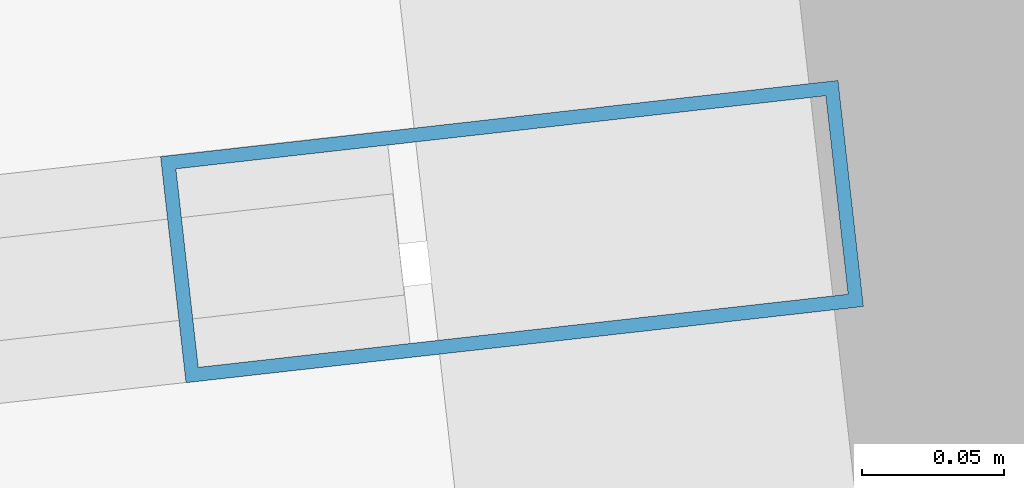
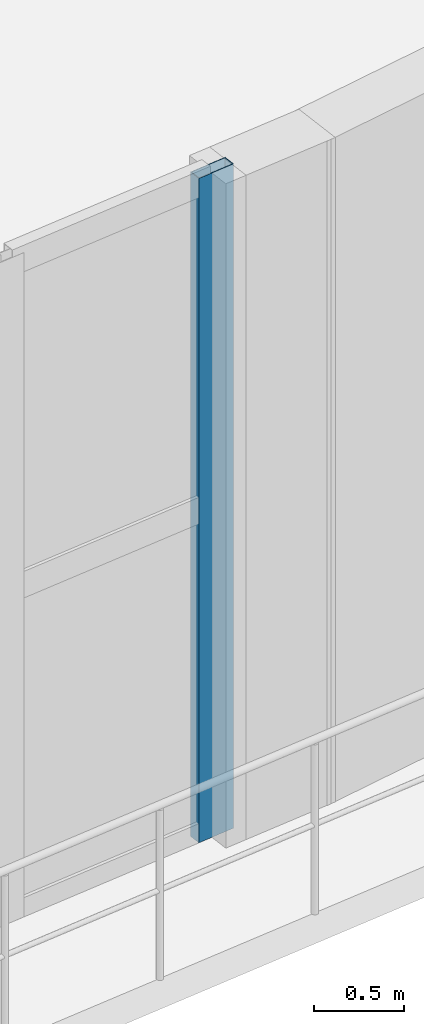
# One storey, part 8 of 25: 1 member, 1 element without a shape of its own.
"""IFC4 building model written with IfcOpenShell, lengths in metres."""

from ifc_helpers import new_model, si_unit, direction, frame, origin, origin_2d, place, context, subcontext, project, spatial, hollow_rectangle, extrude, material, layer, layer_set, material_profile, profile_set, type_object, element, aggregate, save


model = new_model("IFC4")

# Units and contexts
model_context = context("Model", 3, precision=1e-05, world=origin(), true_north=direction((0.0, 1.0)))
body_context = subcontext(model_context, "Body", "Model", "MODEL_VIEW")
ifc_project = project(units=[si_unit("LENGTHUNIT", "METRE"), si_unit("AREAUNIT", "SQUARE_METRE"), si_unit("VOLUMEUNIT", "CUBIC_METRE"), si_unit("PLANEANGLEUNIT", "RADIAN"), si_unit("MASSUNIT", "GRAM", prefix="KILO")], contexts=[model_context])

# Site, building, storey
site_placement = place(None, origin())
site = spatial("IfcSite", under=ifc_project, at=site_placement, CompositionType="ELEMENT")
building_placement = place(site_placement, origin())
building = spatial("IfcBuilding", under=site, at=building_placement, Name="Miruveldt Soraemaru", CompositionType="ELEMENT")
storey_placement = place(building_placement, frame((0.0, 0.0, 4.800048828125)))
storey = spatial("IfcBuildingStorey", under=building, at=storey_placement, Name="L02", CompositionType="ELEMENT", Elevation=4.800048828125)

# Curtain wall, member
ifc_material = material(Name="Anodised aluminium EN AW-6063 T6", Category="aluminium")
ifc_layer = layer(ifc_material, 0.239990234375, Name="Anodised aluminium EN AW-6063 T6", Category="aluminium")
ifc_layer_set = layer_set([ifc_layer], Name="Anodised aluminium EN AW-6063 T6")
curtain_wall_type = type_object("IfcCurtainWallType", Name="CW-SYS-1", PredefinedType="USERDEFINED", material=ifc_layer_set)
curtain_wall_placement = place(storey_placement, origin())
curtain_wall = element("IfcCurtainWall", 1, at=curtain_wall_placement, inside=storey, type_object=curtain_wall_type, Name="L02 Curtain Wall Bay 26", ObjectType="STOREFRONT", PredefinedType="USERDEFINED")
ifc_material_profile = material_profile(ifc_material, hollow_rectangle(XDim=0.080078125, YDim=0.239990234375, WallThickness=0.0048828125, at=origin_2d()), Name="Anodised aluminium EN AW-6063 T6", Category="aluminium")
ifc_profile_set = profile_set([ifc_material_profile], Name="Anodised aluminium EN AW-6063 T6")
member_type = type_object("IfcMemberType", Name="CWM-1", PredefinedType="MULLION", material=ifc_profile_set)
member_placement = place(storey_placement, frame((57.70166015625, 15.26025390625, 0.0), z_axis=(0.0, 0.0, 1.0), x_axis=(-0.111786043709, 0.993732298173, 0.0)))
member = element("IfcMember", 2, at=member_placement, type_object=member_type, Name="CW-1 mullion 5", PredefinedType="MULLION", context=body_context, shape_type="SweptSolid", body=[
    extrude(hollow_rectangle(XDim=0.080078125, YDim=0.239990234375, WallThickness=0.0048828125, at=origin_2d()), origin(), (0.0, 0.0, 1.0), 4.5),
])
aggregate(curtain_wall, [member])

save(model, "model.ifc")
